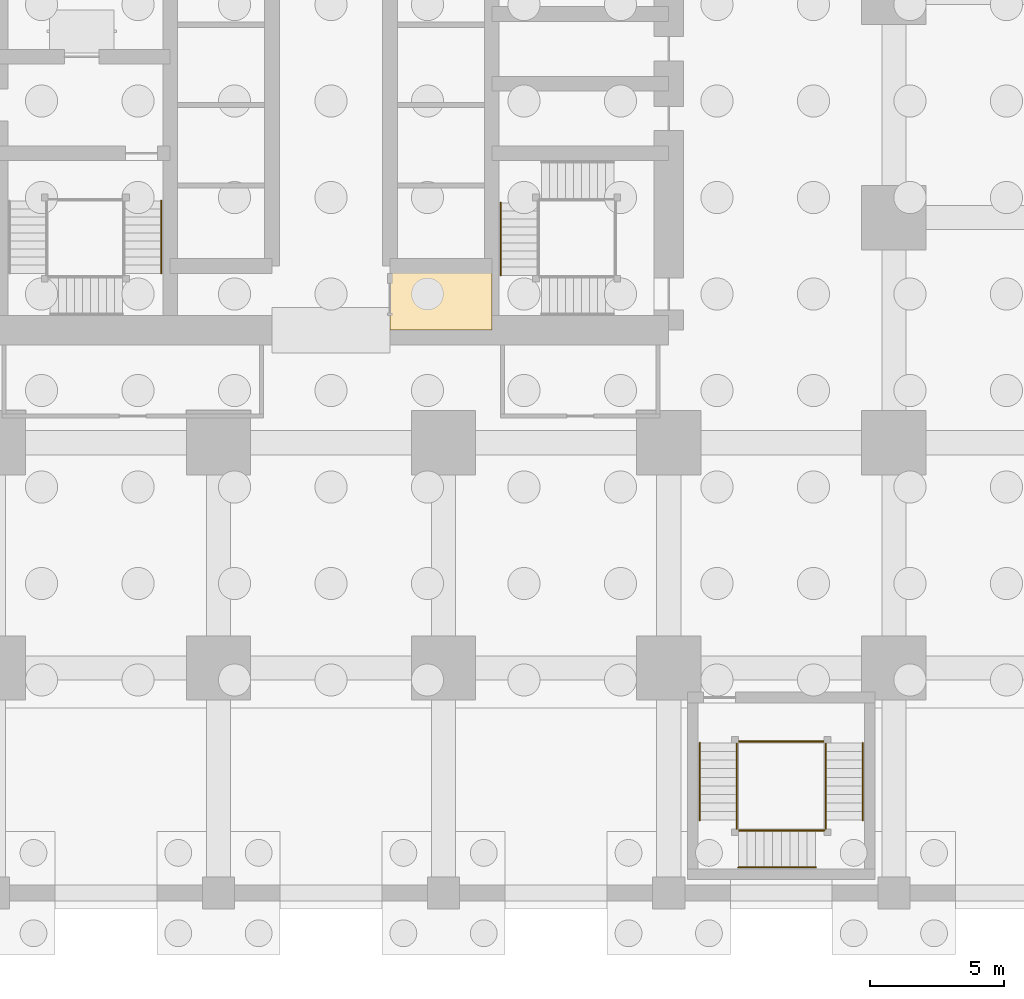
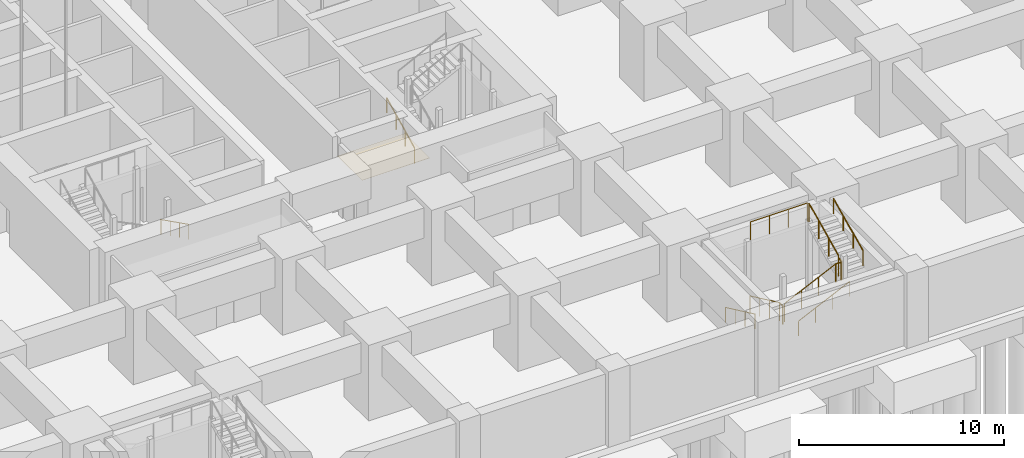
# One storey, part 14 of 28: 12 railings, 1 covering.
"""IFC4 building model written with IfcOpenShell, lengths in metres."""

from ifc_helpers import new_model, si_unit, direction, frame, origin, origin_2d, place, context, subcontext, project, spatial, polyline, circle, outline, extrude, material, layer, layer_set, type_object, element, save


model = new_model("IFC4")

# Units and contexts
model_context = context("Model", 3, precision=1e-05, world=origin(), true_north=direction((0.0, 1.0)))
body_context = subcontext(model_context, "Body", "Model", "MODEL_VIEW")
ifc_project = project(units=[si_unit("LENGTHUNIT", "METRE"), si_unit("AREAUNIT", "SQUARE_METRE"), si_unit("VOLUMEUNIT", "CUBIC_METRE"), si_unit("PLANEANGLEUNIT", "RADIAN"), si_unit("MASSUNIT", "GRAM", prefix="KILO")], contexts=[model_context])

# Site, building, storey
site_placement = place(None, origin())
site = spatial("IfcSite", under=ifc_project, at=site_placement, CompositionType="ELEMENT")
building_placement = place(site_placement, origin())
building = spatial("IfcBuilding", under=site, at=building_placement, Name="Rekha Terrace Tower", CompositionType="ELEMENT")
storey_placement = place(building_placement, frame((0.0, 0.0, -9.89990234375)))
storey = spatial("IfcBuildingStorey", under=building, at=storey_placement, Name="B-02", CompositionType="ELEMENT", Elevation=-9.89990234375)

# Covering
ifc_material_1 = material(Name="Fibre cement board", Category="finish")
ifc_layer = layer(ifc_material_1, 0.014892578125)
ifc_layer_set = layer_set([ifc_layer], Name="Fibre cement board")
covering_type = type_object("IfcCoveringType", Name="CL2 moisture-resistant board ceiling", PredefinedType="CEILING", material=ifc_layer_set)
covering_placement = place(storey_placement, frame((0.0, 0.0, 3.284912109375)))
element("IfcCovering", 1, at=covering_placement, inside=storey, type_object=covering_type, Name="Ceiling B-02-WCA", PredefinedType="CEILING", context=body_context, shape_type="SweptSolid", body=[
    extrude(outline(polyline([(43.800048828125, 23.39990234375), (40.0, 23.39990234375), (40.0, 21.0), (43.800048828125, 21.0), (43.800048828125, 23.39990234375)])), origin(), (0.0, 0.0, 1.0), 0.014892578125),
])

# Railings
ifc_material_2 = material(Name="Stainless steel balustrade", Category="steel")
railing_type_1 = type_object("IfcRailingType", Name="GR1 1100 stair guard", PredefinedType="GUARDRAIL", material=ifc_material_2)
railing_1_placement = place(storey_placement, frame((52.93994140625, 5.60009765625, 0.14990234375)))
element("IfcRailing", 2, at=railing_1_placement, inside=storey, type_object=railing_type_1, Name="Guard SP4 B-02 flight 1", PredefinedType="GUARDRAIL", context=body_context, shape_type="SweptSolid", body=[
    extrude(circle(Radius=0.02392578125, at=origin_2d()), frame((0.0, 0.0, 1.076171875), z_axis=(0.0, -0.905454327043, 0.424443708447), x_axis=(1.0, 0.0, 0.0)), (0.0, 0.0, 1.0), 3.180908203125),
    extrude(circle(Radius=0.02099609375, at=origin_2d()), origin(), (0.0, 0.0, 1.0), 1.052001953125),
    extrude(circle(Radius=0.02099609375, at=origin_2d()), frame((0.0, -0.9599609375, 0.449951171875)), (0.0, 0.0, 1.0), 1.052001953125),
    extrude(circle(Radius=0.02099609375, at=origin_2d()), frame((0.0, -1.920166015625, 0.900146484375)), (0.0, 0.0, 1.0), 1.052001953125),
    extrude(circle(Radius=0.02099609375, at=origin_2d()), frame((0.0, -2.880126953125, 1.35009765625)), (0.0, 0.0, 1.0), 1.052001953125),
])
railing_2_placement = place(storey_placement, frame((53.0, 2.340087890625, 1.64990234375)))
element("IfcRailing", 3, at=railing_2_placement, inside=storey, type_object=railing_type_1, Name="Guard SP4 B-02 flight 2", PredefinedType="GUARDRAIL", context=body_context, shape_type="SweptSolid", body=[
    extrude(circle(Radius=0.02392578125, at=origin_2d()), frame((0.0, 0.0, 1.076171875), z_axis=(0.905440498372, 0.0, 0.424473207528), x_axis=(0.0, 1.0, 0.0)), (0.0, 0.0, 1.0), 3.1806640625),
    extrude(circle(Radius=0.02099609375, at=origin_2d()), origin(), (0.0, 0.0, 1.0), 1.052001953125),
    extrude(circle(Radius=0.02099609375, at=origin_2d()), frame((0.9599609375, 0.0, 0.449951171875)), (0.0, 0.0, 1.0), 1.052001953125),
    extrude(circle(Radius=0.02099609375, at=origin_2d()), frame((1.919921875, 0.0, 0.900146484375)), (0.0, 0.0, 1.0), 1.052001953125),
    extrude(circle(Radius=0.02099609375, at=origin_2d()), frame((2.8798828125, 0.0, 1.35009765625)), (0.0, 0.0, 1.0), 1.052001953125),
])
railing_3_placement = place(storey_placement, frame((56.260009765625, 2.719970703125, 3.14990234375)))
element("IfcRailing", 4, at=railing_3_placement, inside=storey, type_object=railing_type_1, Name="Guard SP4 B-02 flight 3", PredefinedType="GUARDRAIL", context=body_context, shape_type="SweptSolid", body=[
    extrude(circle(Radius=0.02392578125, at=origin_2d()), frame((0.0, 0.0, 1.076171875), z_axis=(0.0, 0.905454327043, 0.424443708447), x_axis=(-1.0, 0.0, 0.0)), (0.0, 0.0, 1.0), 3.180908203125),
    extrude(circle(Radius=0.02099609375, at=origin_2d()), origin(), (0.0, 0.0, 1.0), 1.052001953125),
    extrude(circle(Radius=0.02099609375, at=origin_2d()), frame((0.0, 0.9599609375, 0.449951171875)), (0.0, 0.0, 1.0), 1.052001953125),
    extrude(circle(Radius=0.02099609375, at=origin_2d()), frame((0.0, 1.920166015625, 0.900146484375)), (0.0, 0.0, 1.0), 1.052001953125),
    extrude(circle(Radius=0.02099609375, at=origin_2d()), frame((0.0, 2.880126953125, 1.35009765625)), (0.0, 0.0, 1.0), 1.052001953125),
])
railing_4_placement = place(storey_placement, frame((52.93994140625, 2.719970703125, 1.5)))
element("IfcRailing", 5, at=railing_4_placement, inside=storey, type_object=railing_type_1, Name="Guard SP4 B-02 landing 1", PredefinedType="GUARDRAIL", context=body_context, shape_type="SweptSolid", body=[
    extrude(circle(Radius=0.02392578125, at=origin_2d()), frame((0.0, 0.0, 1.076171875), z_axis=(0.0, -1.0, 0.0), x_axis=(1.0, 0.0, 0.0)), (0.0, 0.0, 1.0), 0.320068359375),
    extrude(circle(Radius=0.02099609375, at=origin_2d()), origin(), (0.0, 0.0, 1.0), 1.052001953125),
    extrude(circle(Radius=0.02099609375, at=origin_2d()), frame((0.0, -0.320068359375, 0.0)), (0.0, 0.0, 1.0), 1.052001953125),
])
railing_5_placement = place(storey_placement, frame((55.8798828125, 2.340087890625, 3.0)))
element("IfcRailing", 6, at=railing_5_placement, inside=storey, type_object=railing_type_1, Name="Guard SP4 B-02 landing 2", PredefinedType="GUARDRAIL", context=body_context, shape_type="SweptSolid", body=[
    extrude(circle(Radius=0.02392578125, at=origin_2d()), frame((0.0, 0.0, 1.076171875), z_axis=(1.0, 0.0, 0.0), x_axis=(0.0, 1.0, 0.0)), (0.0, 0.0, 1.0), 0.320068359375),
    extrude(circle(Radius=0.02099609375, at=origin_2d()), origin(), (0.0, 0.0, 1.0), 1.052001953125),
    extrude(circle(Radius=0.02099609375, at=origin_2d()), frame((0.320068359375, 0.0, 0.0)), (0.0, 0.0, 1.0), 1.052001953125),
])
railing_6_placement = place(storey_placement, frame((56.260009765625, 2.719970703125, 3.0)))
element("IfcRailing", 7, at=railing_6_placement, inside=storey, type_object=railing_type_1, Name="Guard SP4 B-02 landing 3", PredefinedType="GUARDRAIL", context=body_context, shape_type="SweptSolid", body=[
    extrude(circle(Radius=0.02392578125, at=origin_2d()), frame((0.0, 0.0, 1.076171875), z_axis=(0.0, -1.0, 0.0), x_axis=(1.0, 0.0, 0.0)), (0.0, 0.0, 1.0), 0.320068359375),
    extrude(circle(Radius=0.02099609375, at=origin_2d()), origin(), (0.0, 0.0, 1.0), 1.052001953125),
    extrude(circle(Radius=0.02099609375, at=origin_2d()), frame((0.0, -0.320068359375, 0.0)), (0.0, 0.0, 1.0), 1.052001953125),
])
railing_7_placement = place(storey_placement, frame((53.0, 5.659912109375, 4.5)))
element("IfcRailing", 8, at=railing_7_placement, inside=storey, type_object=railing_type_1, Name="Guard SP4 B-02 landing 4", PredefinedType="GUARDRAIL", context=body_context, shape_type="SweptSolid", body=[
    extrude(circle(Radius=0.02392578125, at=origin_2d()), frame((0.0, 0.0, 1.076171875), z_axis=(1.0, 0.0, 0.0), x_axis=(0.0, 1.0, 0.0)), (0.0, 0.0, 1.0), 3.199951171875),
    extrude(circle(Radius=0.02099609375, at=origin_2d()), origin(), (0.0, 0.0, 1.0), 1.052001953125),
    extrude(circle(Radius=0.02099609375, at=origin_2d()), frame((1.066650390625, 0.0, 0.0)), (0.0, 0.0, 1.0), 1.052001953125),
    extrude(circle(Radius=0.02099609375, at=origin_2d()), frame((2.13330078125, 0.0, 0.0)), (0.0, 0.0, 1.0), 1.052001953125),
    extrude(circle(Radius=0.02099609375, at=origin_2d()), frame((3.199951171875, 0.0, 0.0)), (0.0, 0.0, 1.0), 1.052001953125),
])
ifc_material_3 = material(Name="Stainless steel tube", Category="steel")
railing_type_2 = type_object("IfcRailingType", Name="HR1 900 stair handrail", PredefinedType="HANDRAIL", material=ifc_material_3)
railing_8_placement = place(storey_placement, frame((51.56005859375, 5.60009765625, 0.14990234375)))
element("IfcRailing", 9, at=railing_8_placement, inside=storey, type_object=railing_type_2, Name="Handrail SP4 B-02 flight 1", PredefinedType="HANDRAIL", context=body_context, shape_type="SweptSolid", body=[
    extrude(circle(Radius=0.02392578125, at=origin_2d()), frame((0.0, 0.0, 0.8759765625), z_axis=(0.0, -0.905454327043, 0.424443708447), x_axis=(1.0, 0.0, 0.0)), (0.0, 0.0, 1.0), 3.180908203125),
    extrude(circle(Radius=0.02099609375, at=origin_2d()), origin(), (0.0, 0.0, 1.0), 0.851806640625),
    extrude(circle(Radius=0.02099609375, at=origin_2d()), frame((0.0, -0.9599609375, 0.449951171875)), (0.0, 0.0, 1.0), 0.851806640625),
    extrude(circle(Radius=0.02099609375, at=origin_2d()), frame((0.0, -1.920166015625, 0.900146484375)), (0.0, 0.0, 1.0), 0.851806640625),
    extrude(circle(Radius=0.02099609375, at=origin_2d()), frame((0.0, -2.880126953125, 1.35009765625)), (0.0, 0.0, 1.0), 0.851806640625),
])
railing_9_placement = place(storey_placement, frame((53.0, 0.9599609375, 1.64990234375)))
element("IfcRailing", 10, at=railing_9_placement, inside=storey, type_object=railing_type_2, Name="Handrail SP4 B-02 flight 2", PredefinedType="HANDRAIL", context=body_context, shape_type="SweptSolid", body=[
    extrude(circle(Radius=0.02392578125, at=origin_2d()), frame((0.0, 0.0, 0.8759765625), z_axis=(0.905440498372, 0.0, 0.424473207528), x_axis=(0.0, 1.0, 0.0)), (0.0, 0.0, 1.0), 3.1806640625),
    extrude(circle(Radius=0.02099609375, at=origin_2d()), origin(), (0.0, 0.0, 1.0), 0.851806640625),
    extrude(circle(Radius=0.02099609375, at=origin_2d()), frame((0.9599609375, 0.0, 0.449951171875)), (0.0, 0.0, 1.0), 0.851806640625),
    extrude(circle(Radius=0.02099609375, at=origin_2d()), frame((1.919921875, 0.0, 0.900146484375)), (0.0, 0.0, 1.0), 0.851806640625),
    extrude(circle(Radius=0.02099609375, at=origin_2d()), frame((2.8798828125, 0.0, 1.35009765625)), (0.0, 0.0, 1.0), 0.851806640625),
])
railing_10_placement = place(storey_placement, frame((57.639892578125, 2.719970703125, 3.14990234375)))
element("IfcRailing", 11, at=railing_10_placement, inside=storey, type_object=railing_type_2, Name="Handrail SP4 B-02 flight 3", PredefinedType="HANDRAIL", context=body_context, shape_type="SweptSolid", body=[
    extrude(circle(Radius=0.02392578125, at=origin_2d()), frame((0.0, 0.0, 0.8759765625), z_axis=(0.0, 0.905454327043, 0.424443708447), x_axis=(-1.0, 0.0, 0.0)), (0.0, 0.0, 1.0), 3.180908203125),
    extrude(circle(Radius=0.02099609375, at=origin_2d()), origin(), (0.0, 0.0, 1.0), 0.851806640625),
    extrude(circle(Radius=0.02099609375, at=origin_2d()), frame((0.0, 0.9599609375, 0.449951171875)), (0.0, 0.0, 1.0), 0.851806640625),
    extrude(circle(Radius=0.02099609375, at=origin_2d()), frame((0.0, 1.920166015625, 0.900146484375)), (0.0, 0.0, 1.0), 0.851806640625),
    extrude(circle(Radius=0.02099609375, at=origin_2d()), frame((0.0, 2.880126953125, 1.35009765625)), (0.0, 0.0, 1.0), 0.851806640625),
])
railing_11_placement = place(storey_placement, frame((31.465087890625, 25.824951171875, 0.14990234375)))
element("IfcRailing", 12, at=railing_11_placement, inside=storey, type_object=railing_type_2, Name="Handrail ST1 B-02 flight 1", PredefinedType="HANDRAIL", context=body_context, shape_type="SweptSolid", body=[
    extrude(circle(Radius=0.02392578125, at=origin_2d()), frame((0.0, 0.0, 0.8759765625), z_axis=(0.0, -0.894411015155, 0.447245945728), x_axis=(1.0, 0.0, 0.0)), (0.0, 0.0, 1.0), 3.018798828125),
    extrude(circle(Radius=0.02099609375, at=origin_2d()), origin(), (0.0, 0.0, 1.0), 0.851806640625),
    extrude(circle(Radius=0.02099609375, at=origin_2d()), frame((0.0, -0.89990234375, 0.449951171875)), (0.0, 0.0, 1.0), 0.851806640625),
    extrude(circle(Radius=0.02099609375, at=origin_2d()), frame((0.0, -1.800048828125, 0.900146484375)), (0.0, 0.0, 1.0), 0.851806640625),
    extrude(circle(Radius=0.02099609375, at=origin_2d()), frame((0.0, -2.699951171875, 1.35009765625)), (0.0, 0.0, 1.0), 0.851806640625),
])
railing_12_placement = place(storey_placement, frame((44.135009765625, 23.050048828125, 1.64990234375)))
element("IfcRailing", 13, at=railing_12_placement, inside=storey, type_object=railing_type_2, Name="Handrail ST3 B-02 flight 2", PredefinedType="HANDRAIL", context=body_context, shape_type="SweptSolid", body=[
    extrude(circle(Radius=0.02392578125, at=origin_2d()), frame((0.0, 0.0, 0.8759765625), z_axis=(0.0, 0.894411015155, 0.447245945728), x_axis=(-1.0, 0.0, 0.0)), (0.0, 0.0, 1.0), 3.018798828125),
    extrude(circle(Radius=0.02099609375, at=origin_2d()), origin(), (0.0, 0.0, 1.0), 0.851806640625),
    extrude(circle(Radius=0.02099609375, at=origin_2d()), frame((0.0, 0.89990234375, 0.449951171875)), (0.0, 0.0, 1.0), 0.851806640625),
    extrude(circle(Radius=0.02099609375, at=origin_2d()), frame((0.0, 1.800048828125, 0.900146484375)), (0.0, 0.0, 1.0), 0.851806640625),
    extrude(circle(Radius=0.02099609375, at=origin_2d()), frame((0.0, 2.699951171875, 1.35009765625)), (0.0, 0.0, 1.0), 0.851806640625),
])

save(model, "model.ifc")
